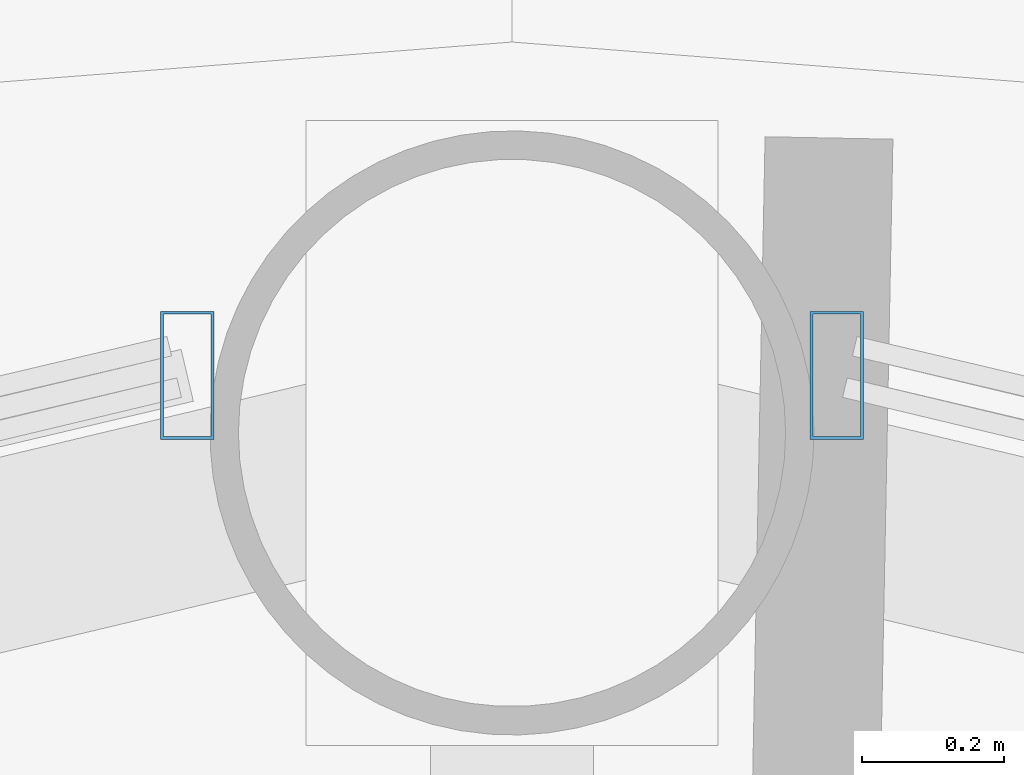
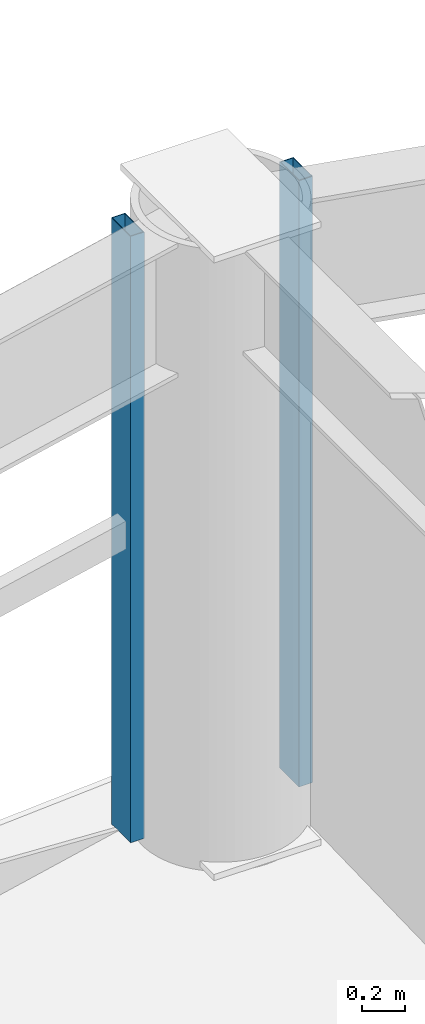
# One storey, part 18 of 31: 2 members, 2 elements without a shape of their own.
"""IFC4 building model written with IfcOpenShell, lengths in metres."""

from ifc_helpers import new_model, si_unit, direction, frame, origin, origin_2d, place, context, subcontext, project, spatial, hollow_rectangle, extrude, material, layer, layer_set, material_profile, profile_set, type_object, element, aggregate, save


model = new_model("IFC4")

# Units and contexts
model_context = context("Model", 3, precision=1e-05, world=origin(), true_north=direction((0.0, 1.0)))
body_context = subcontext(model_context, "Body", "Model", "MODEL_VIEW")
ifc_project = project(units=[si_unit("LENGTHUNIT", "METRE"), si_unit("AREAUNIT", "SQUARE_METRE"), si_unit("VOLUMEUNIT", "CUBIC_METRE"), si_unit("PLANEANGLEUNIT", "RADIAN"), si_unit("MASSUNIT", "GRAM", prefix="KILO")], contexts=[model_context])

# Site, building, storey
site_placement = place(None, origin())
site = spatial("IfcSite", under=ifc_project, at=site_placement, CompositionType="ELEMENT")
building_placement = place(site_placement, origin())
building = spatial("IfcBuilding", under=site, at=building_placement, Name="Vantalir Tower", CompositionType="ELEMENT")
storey_placement = place(building_placement, frame((0.0, 0.0, 30.75)))
storey = spatial("IfcBuildingStorey", under=building, at=storey_placement, Name="L06", CompositionType="ELEMENT", Elevation=30.75)

# Curtain wall, member
ifc_material_1 = material(Name="Champagne-silver PVDF aluminium and double-silver Low-E glass", Category="aluminium")
ifc_layer = layer(ifc_material_1, 0.18994140625)
ifc_layer_set = layer_set([ifc_layer], Name="Champagne-silver PVDF aluminium and double-silver Low-E glass")
curtain_wall_type = type_object("IfcCurtainWallType", Name="CW-DIAMOND-Z1", PredefinedType="USERDEFINED", material=ifc_layer_set)
curtain_wall_1_placement = place(storey_placement, origin())
curtain_wall_1 = element("IfcCurtainWall", 1, at=curtain_wall_1_placement, inside=storey, type_object=curtain_wall_type, Name="L06 Quilted Pyramid-Diamond Curtain Wall S03", ObjectType="UNITISED CURTAIN WALL", PredefinedType="USERDEFINED")
ifc_material_2 = material(Name="Champagne-silver PVDF aluminium 6063-T6", Category="aluminium")
ifc_material_profile = material_profile(ifc_material_2, hollow_rectangle(XDim=0.074951171875, YDim=0.179931640625, WallThickness=0.00390625, at=origin_2d()), Name="Champagne-silver PVDF aluminium 6063-T6")
ifc_profile_set = profile_set([ifc_material_profile], Name="Champagne-silver PVDF aluminium 6063-T6")
member_type = type_object("IfcMemberType", Name="CWM-180x75", PredefinedType="MULLION", material=ifc_profile_set)
member_1_placement = place(storey_placement, frame((31.95703125, 47.7451171875, 0.044921875), z_axis=(0.0, 0.0, 1.0), x_axis=(1.0, 0.0, 0.0)))
member_1 = element("IfcMember", 2, at=member_1_placement, type_object=member_type, Name="CW-L06-S03 Mullion 2", PredefinedType="MULLION", context=body_context, shape_type="SweptSolid", body=[
    extrude(hollow_rectangle(XDim=0.074951171875, YDim=0.179931640625, WallThickness=0.00390625, at=origin_2d()), origin(), (0.0, 0.0, 1.0), 3.47998046875),
])
aggregate(curtain_wall_1, [member_1])

curtain_wall_2_placement = place(storey_placement, origin())
curtain_wall_2 = element("IfcCurtainWall", 3, at=curtain_wall_2_placement, inside=storey, type_object=curtain_wall_type, Name="L06 Quilted Pyramid-Diamond Curtain Wall S04", ObjectType="UNITISED CURTAIN WALL", PredefinedType="USERDEFINED")
member_2_placement = place(storey_placement, frame((31.04296875, 47.7451171875, 0.044921875), z_axis=(0.0, 0.0, 1.0), x_axis=(1.0, 0.0, 0.0)))
member_2 = element("IfcMember", 4, at=member_2_placement, type_object=member_type, Name="CW-L06-S04 Mullion 1", PredefinedType="MULLION", context=body_context, shape_type="SweptSolid", body=[
    extrude(hollow_rectangle(XDim=0.074951171875, YDim=0.179931640625, WallThickness=0.00390625, at=origin_2d()), origin(), (0.0, 0.0, 1.0), 3.47998046875),
])
aggregate(curtain_wall_2, [member_2])

save(model, "model.ifc")
